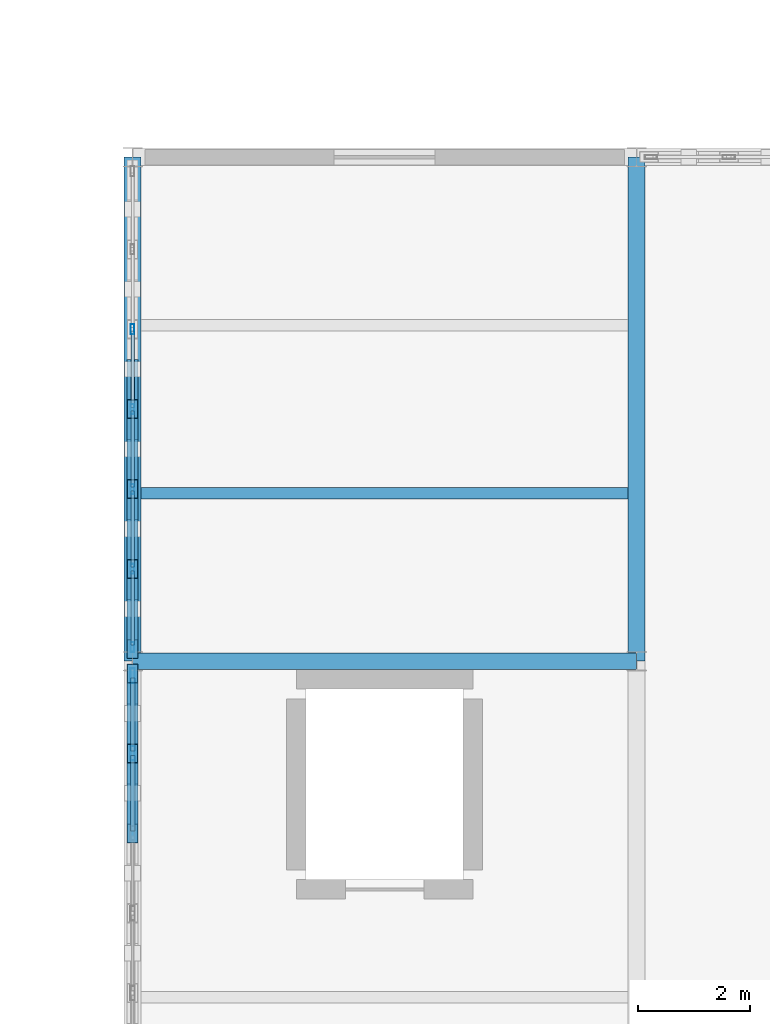
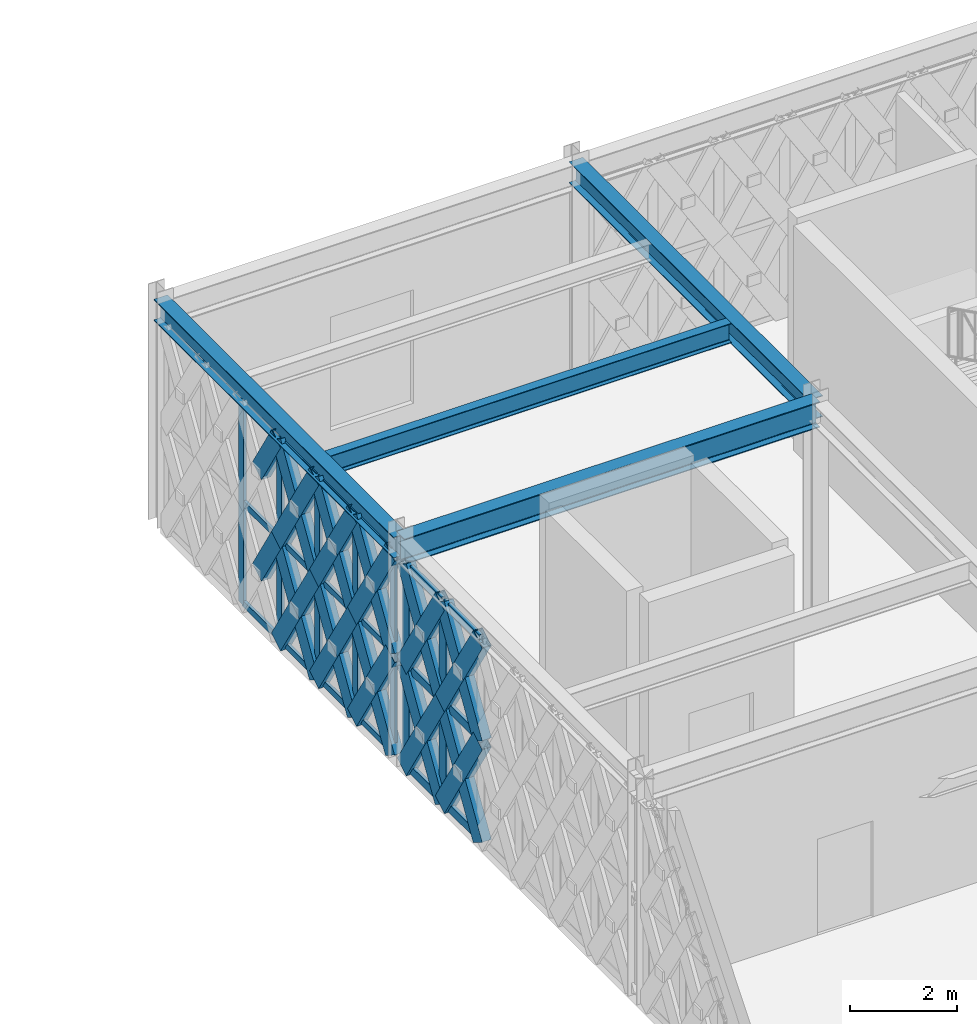
# One storey, part 86 of 166: 56 members, 4 beams, 2 elements without a shape of their own.
"""IFC4 building model written with IfcOpenShell, lengths in metres."""

from ifc_helpers import new_model, si_unit, direction, frame, origin, origin_2d, place, context, subcontext, project, spatial, hollow_rectangle, i_section, extrude, material, material_profile, profile_set, type_object, element, aggregate, save


model = new_model("IFC4")

# Units and contexts
model_context = context("Model", 3, precision=1e-05, world=origin(), true_north=direction((0.0, 1.0)))
body_context = subcontext(model_context, "Body", "Model", "MODEL_VIEW")
ifc_project = project(units=[si_unit("LENGTHUNIT", "METRE"), si_unit("AREAUNIT", "SQUARE_METRE"), si_unit("VOLUMEUNIT", "CUBIC_METRE"), si_unit("PLANEANGLEUNIT", "RADIAN"), si_unit("MASSUNIT", "GRAM", prefix="KILO")], contexts=[model_context])

# Site, building, storey
site_placement = place(None, origin())
site = spatial("IfcSite", under=ifc_project, at=site_placement, CompositionType="ELEMENT")
building_placement = place(site_placement, origin())
building = spatial("IfcBuilding", under=site, at=building_placement, Name="Haizhuo Lancet Aquarium", CompositionType="ELEMENT")
storey_placement = place(building_placement, frame((0.0, 0.0, 5.39990234375)))
storey = spatial("IfcBuildingStorey", under=building, at=storey_placement, Name="L01", CompositionType="ELEMENT", Elevation=5.39990234375)

# Beams
ifc_material_1 = material(Name="Steel S355", Category="steel")
ifc_material_profile_1 = material_profile(ifc_material_1, i_section(OverallWidth=0.300048828125, OverallDepth=0.488037109375, WebThickness=0.010986328125, FlangeThickness=0.01806640625, FilletRadius=0.02392578125, at=origin_2d()), Name="HM 488x300x11x18")
ifc_profile_set_1 = profile_set([ifc_material_profile_1], Name="Steel S355")
beam_type_1 = type_object("IfcBeamType", Name="BM-ST-HM488", PredefinedType="BEAM", material=ifc_profile_set_1)
for number, where, z_axis, x_axis, name in (
    (1, (36.0, 27.0, 4.89599609375), (0.0, 1.0, 0.0), (-1.0, 0.0, 0.0), "L01 V7 primary girder BM-L01-V7-005"),
    (2, (45.0, 27.0, 4.89599609375), (0.0, 1.0, 0.0), (-1.0, 0.0, 0.0), "L01 V7 primary girder BM-L01-V7-012"),
):
    element("IfcBeam", number, at=place(storey_placement, frame(where, z_axis=z_axis, x_axis=x_axis)), inside=storey, type_object=beam_type_1, Name=name, PredefinedType="BEAM", context=body_context, shape_type="SweptSolid", body=[
        extrude(i_section(OverallWidth=0.300048828125, OverallDepth=0.488037109375, WebThickness=0.010986328125, FlangeThickness=0.01806640625, FilletRadius=0.02392578125, at=origin_2d()), origin(), (0.0, 0.0, 1.0), 9.0),
    ])
ifc_material_profile_2 = material_profile(ifc_material_1, i_section(OverallWidth=0.300048828125, OverallDepth=0.587890625, WebThickness=0.011962890625, FlangeThickness=0.02001953125, FilletRadius=0.02587890625, at=origin_2d()), Name="HM 588x300x12x20")
ifc_profile_set_2 = profile_set([ifc_material_profile_2], Name="Steel S355")
beam_type_2 = type_object("IfcBeamType", Name="BM-ST-HM588", PredefinedType="BEAM", material=ifc_profile_set_2)
beam_1_placement = place(storey_placement, frame((36.0, 27.0, 4.84619140625), z_axis=(1.0, 0.0, 0.0), x_axis=(0.0, 1.0, 0.0)))
element("IfcBeam", 3, at=beam_1_placement, inside=storey, type_object=beam_type_2, Name="L01 V7 primary girder BM-L01-V7-006", PredefinedType="BEAM", context=body_context, shape_type="SweptSolid", body=[
    extrude(i_section(OverallWidth=0.300048828125, OverallDepth=0.587890625, WebThickness=0.011962890625, FlangeThickness=0.02001953125, FilletRadius=0.02587890625, at=origin_2d()), origin(), (0.0, 0.0, 1.0), 9.0),
])

# Curtain wall, members
ifc_material_2 = material(Name="Aluminium 6063-T6", Category="aluminium")
curtain_wall_type = type_object("IfcCurtainWallType", Name="CWD-8560x4650", PredefinedType="NOTDEFINED", material=ifc_material_2)
curtain_wall_1_placement = place(storey_placement, origin())
curtain_wall_1 = element("IfcCurtainWall", 4, at=curtain_wall_1_placement, inside=storey, type_object=curtain_wall_type, Name="L01 curtain wall CW-V7-L01-295", PredefinedType="NOTDEFINED")
ifc_material_profile_3 = material_profile(ifc_material_2, hollow_rectangle(XDim=0.06494140625, YDim=0.179931640625, WallThickness=0.00390625, at=origin_2d()), Name="ALU-M 65x180x4")
ifc_profile_set_3 = profile_set([ifc_material_profile_3], Name="Aluminium 6063-T6")
member_type_1 = type_object("IfcMemberType", Name="CW-MUL-1", PredefinedType="MULLION", material=ifc_profile_set_3)
member_1_placement = place(storey_placement, frame((36.0, 27.251953125, 0.0), z_axis=(0.0, 0.0, 1.0), x_axis=(-1.0, 0.0, 0.0)))
member_1 = element("IfcMember", 5, at=member_1_placement, type_object=member_type_1, Name="CWD-85x46 mullion 1", PredefinedType="MULLION", context=body_context, shape_type="SweptSolid", body=[
    extrude(hollow_rectangle(XDim=0.06494140625, YDim=0.179931640625, WallThickness=0.00390625, at=origin_2d()), origin(), (0.0, 0.0, 1.0), 4.652099609375),
])
member_2_placement = place(storey_placement, frame((36.0, 28.64697265625, 0.0), z_axis=(0.0, 0.0, 1.0), x_axis=(-1.0, 0.0, 0.0)))
member_2 = element("IfcMember", 6, at=member_2_placement, type_object=member_type_1, Name="CWD-85x46 mullion 2", PredefinedType="MULLION", context=body_context, shape_type="SweptSolid", body=[
    extrude(hollow_rectangle(XDim=0.06494140625, YDim=0.179931640625, WallThickness=0.00390625, at=origin_2d()), origin(), (0.0, 0.0, 1.0), 4.652099609375),
])
member_3_placement = place(storey_placement, frame((36.0, 30.072998046875, 0.0), z_axis=(0.0, 0.0, 1.0), x_axis=(-1.0, 0.0, 0.0)))
member_3 = element("IfcMember", 7, at=member_3_placement, type_object=member_type_1, Name="CWD-85x46 mullion 3", PredefinedType="MULLION", context=body_context, shape_type="SweptSolid", body=[
    extrude(hollow_rectangle(XDim=0.06494140625, YDim=0.179931640625, WallThickness=0.00390625, at=origin_2d()), origin(), (0.0, 0.0, 1.0), 4.652099609375),
])
member_4_placement = place(storey_placement, frame((36.0, 31.5, 0.0), z_axis=(0.0, 0.0, 1.0), x_axis=(-1.0, 0.0, 0.0)))
member_4 = element("IfcMember", 8, at=member_4_placement, type_object=member_type_1, Name="CWD-85x46 mullion 4", PredefinedType="MULLION", context=body_context, shape_type="SweptSolid", body=[
    extrude(hollow_rectangle(XDim=0.06494140625, YDim=0.179931640625, WallThickness=0.00390625, at=origin_2d()), origin(), (0.0, 0.0, 1.0), 4.652099609375),
])
member_5_placement = place(storey_placement, frame((36.0, 32.927001953125, 0.0), z_axis=(0.0, 0.0, 1.0), x_axis=(-1.0, 0.0, 0.0)))
member_5 = element("IfcMember", 9, at=member_5_placement, type_object=member_type_1, Name="CWD-85x46 mullion 5", PredefinedType="MULLION", context=body_context, shape_type="SweptSolid", body=[
    extrude(hollow_rectangle(XDim=0.06494140625, YDim=0.179931640625, WallThickness=0.00390625, at=origin_2d()), origin(), (0.0, 0.0, 1.0), 4.652099609375),
])

curtain_wall_2_placement = place(storey_placement, origin())
curtain_wall_2 = element("IfcCurtainWall", 10, at=curtain_wall_2_placement, inside=storey, type_object=curtain_wall_type, Name="L01 curtain wall CW-V7-L01-294", PredefinedType="NOTDEFINED")
ifc_material_profile_4 = material_profile(ifc_material_2, hollow_rectangle(XDim=0.080078125, YDim=0.260009765625, WallThickness=0.0048828125, at=origin_2d()), Name="ALU-M 80x260x5")
ifc_profile_set_4 = profile_set([ifc_material_profile_4], Name="Aluminium 6063-T6")
member_type_2 = type_object("IfcMemberType", Name="CW-MUL-3", PredefinedType="MULLION", material=ifc_profile_set_4)
member_6_placement = place(storey_placement, frame((36.0, 25.35302734375, 0.0), z_axis=(0.0, 0.0, 1.0), x_axis=(-1.0, 0.0, 0.0)))
member_6 = element("IfcMember", 11, at=member_6_placement, type_object=member_type_2, Name="CWD-85x46 mullion 6", PredefinedType="MULLION", context=body_context, shape_type="SweptSolid", body=[
    extrude(hollow_rectangle(XDim=0.080078125, YDim=0.260009765625, WallThickness=0.0048828125, at=origin_2d()), origin(), (0.0, 0.0, 1.0), 4.652099609375),
])
member_7_placement = place(storey_placement, frame((36.0, 26.739990234375, 0.0), z_axis=(0.0, 0.0, 1.0), x_axis=(-1.0, 0.0, 0.0)))
member_7 = element("IfcMember", 12, at=member_7_placement, type_object=member_type_2, Name="CWD-85x46 mullion 7", PredefinedType="MULLION", context=body_context, shape_type="SweptSolid", body=[
    extrude(hollow_rectangle(XDim=0.080078125, YDim=0.260009765625, WallThickness=0.0048828125, at=origin_2d()), origin(), (0.0, 0.0, 1.0), 4.652099609375),
])

# Member
ifc_material_profile_5 = material_profile(ifc_material_2, hollow_rectangle(XDim=0.06494140625, YDim=0.139892578125, WallThickness=0.00390625, at=origin_2d()), Name="ALU-T 65x140x4")
ifc_profile_set_5 = profile_set([ifc_material_profile_5], Name="Aluminium 6063-T6")
member_type_3 = type_object("IfcMemberType", Name="CW-TRN-1", PredefinedType="NOTDEFINED", material=ifc_profile_set_5)
member_8_placement = place(storey_placement, frame((36.0, 27.284912109375, 0.033203125), z_axis=(0.0, 1.0, 0.0), x_axis=(-1.0, 0.0, 0.0)))
member_8 = element("IfcMember", 13, at=member_8_placement, type_object=member_type_3, Name="CWD-85x46 transom 1.1", ObjectType="TRANSOM", PredefinedType="USERDEFINED", context=body_context, shape_type="SweptSolid", body=[
    extrude(hollow_rectangle(XDim=0.06494140625, YDim=0.139892578125, WallThickness=0.00390625, at=origin_2d()), origin(), (0.0, 0.0, 1.0), 1.3291015625),
])

member_9_placement = place(storey_placement, frame((36.0, 27.284912109375, 2.326171875), z_axis=(0.0, 1.0, 0.0), x_axis=(-1.0, 0.0, 0.0)))
member_9 = element("IfcMember", 14, at=member_9_placement, type_object=member_type_3, Name="CWD-85x46 transom 1.2", ObjectType="TRANSOM", PredefinedType="USERDEFINED", context=body_context, shape_type="SweptSolid", body=[
    extrude(hollow_rectangle(XDim=0.06494140625, YDim=0.139892578125, WallThickness=0.00390625, at=origin_2d()), origin(), (0.0, 0.0, 1.0), 1.3291015625),
])

member_10_placement = place(storey_placement, frame((36.0, 27.284912109375, 4.619140625), z_axis=(0.0, 1.0, 0.0), x_axis=(-1.0, 0.0, 0.0)))
member_10 = element("IfcMember", 15, at=member_10_placement, type_object=member_type_3, Name="CWD-85x46 transom 1.3", ObjectType="TRANSOM", PredefinedType="USERDEFINED", context=body_context, shape_type="SweptSolid", body=[
    extrude(hollow_rectangle(XDim=0.06494140625, YDim=0.139892578125, WallThickness=0.00390625, at=origin_2d()), origin(), (0.0, 0.0, 1.0), 1.3291015625),
])

member_11_placement = place(storey_placement, frame((36.0, 28.678955078125, 0.033203125), z_axis=(0.0, 1.0, 0.0), x_axis=(-1.0, 0.0, 0.0)))
member_11 = element("IfcMember", 16, at=member_11_placement, type_object=member_type_3, Name="CWD-85x46 transom 2.1", ObjectType="TRANSOM", PredefinedType="USERDEFINED", context=body_context, shape_type="SweptSolid", body=[
    extrude(hollow_rectangle(XDim=0.06494140625, YDim=0.139892578125, WallThickness=0.00390625, at=origin_2d()), origin(), (0.0, 0.0, 1.0), 1.362060546875),
])

member_12_placement = place(storey_placement, frame((36.0, 28.678955078125, 2.326171875), z_axis=(0.0, 1.0, 0.0), x_axis=(-1.0, 0.0, 0.0)))
member_12 = element("IfcMember", 17, at=member_12_placement, type_object=member_type_3, Name="CWD-85x46 transom 2.2", ObjectType="TRANSOM", PredefinedType="USERDEFINED", context=body_context, shape_type="SweptSolid", body=[
    extrude(hollow_rectangle(XDim=0.06494140625, YDim=0.139892578125, WallThickness=0.00390625, at=origin_2d()), origin(), (0.0, 0.0, 1.0), 1.362060546875),
])

member_13_placement = place(storey_placement, frame((36.0, 28.678955078125, 4.619140625), z_axis=(0.0, 1.0, 0.0), x_axis=(-1.0, 0.0, 0.0)))
member_13 = element("IfcMember", 18, at=member_13_placement, type_object=member_type_3, Name="CWD-85x46 transom 2.3", ObjectType="TRANSOM", PredefinedType="USERDEFINED", context=body_context, shape_type="SweptSolid", body=[
    extrude(hollow_rectangle(XDim=0.06494140625, YDim=0.139892578125, WallThickness=0.00390625, at=origin_2d()), origin(), (0.0, 0.0, 1.0), 1.362060546875),
])

member_14_placement = place(storey_placement, frame((36.0, 30.10595703125, 0.033203125), z_axis=(0.0, 1.0, 0.0), x_axis=(-1.0, 0.0, 0.0)))
member_14 = element("IfcMember", 19, at=member_14_placement, type_object=member_type_3, Name="CWD-85x46 transom 3.1", ObjectType="TRANSOM", PredefinedType="USERDEFINED", context=body_context, shape_type="SweptSolid", body=[
    extrude(hollow_rectangle(XDim=0.06494140625, YDim=0.139892578125, WallThickness=0.00390625, at=origin_2d()), origin(), (0.0, 0.0, 1.0), 1.362060546875),
])

member_15_placement = place(storey_placement, frame((36.0, 30.10595703125, 2.326171875), z_axis=(0.0, 1.0, 0.0), x_axis=(-1.0, 0.0, 0.0)))
member_15 = element("IfcMember", 20, at=member_15_placement, type_object=member_type_3, Name="CWD-85x46 transom 3.2", ObjectType="TRANSOM", PredefinedType="USERDEFINED", context=body_context, shape_type="SweptSolid", body=[
    extrude(hollow_rectangle(XDim=0.06494140625, YDim=0.139892578125, WallThickness=0.00390625, at=origin_2d()), origin(), (0.0, 0.0, 1.0), 1.362060546875),
])

member_16_placement = place(storey_placement, frame((36.0, 30.10595703125, 4.619140625), z_axis=(0.0, 1.0, 0.0), x_axis=(-1.0, 0.0, 0.0)))
member_16 = element("IfcMember", 21, at=member_16_placement, type_object=member_type_3, Name="CWD-85x46 transom 3.3", ObjectType="TRANSOM", PredefinedType="USERDEFINED", context=body_context, shape_type="SweptSolid", body=[
    extrude(hollow_rectangle(XDim=0.06494140625, YDim=0.139892578125, WallThickness=0.00390625, at=origin_2d()), origin(), (0.0, 0.0, 1.0), 1.362060546875),
])

member_17_placement = place(storey_placement, frame((36.0, 31.531982421875, 0.033203125), z_axis=(0.0, 1.0, 0.0), x_axis=(-1.0, 0.0, 0.0)))
member_17 = element("IfcMember", 22, at=member_17_placement, type_object=member_type_3, Name="CWD-85x46 transom 4.1", ObjectType="TRANSOM", PredefinedType="USERDEFINED", context=body_context, shape_type="SweptSolid", body=[
    extrude(hollow_rectangle(XDim=0.06494140625, YDim=0.139892578125, WallThickness=0.00390625, at=origin_2d()), origin(), (0.0, 0.0, 1.0), 1.362060546875),
])

member_18_placement = place(storey_placement, frame((36.0, 31.531982421875, 2.326171875), z_axis=(0.0, 1.0, 0.0), x_axis=(-1.0, 0.0, 0.0)))
member_18 = element("IfcMember", 23, at=member_18_placement, type_object=member_type_3, Name="CWD-85x46 transom 4.2", ObjectType="TRANSOM", PredefinedType="USERDEFINED", context=body_context, shape_type="SweptSolid", body=[
    extrude(hollow_rectangle(XDim=0.06494140625, YDim=0.139892578125, WallThickness=0.00390625, at=origin_2d()), origin(), (0.0, 0.0, 1.0), 1.362060546875),
])

aggregate(curtain_wall_1, [member_1, member_2, member_3, member_4, member_5, member_8, member_9, member_10, member_11, member_12, member_13, member_14, member_15, member_16, member_17, member_18])

ifc_material_profile_6 = material_profile(ifc_material_2, hollow_rectangle(XDim=0.080078125, YDim=0.18994140625, WallThickness=0.0048828125, at=origin_2d()), Name="ALU-T 80x190x5")
ifc_profile_set_6 = profile_set([ifc_material_profile_6], Name="Aluminium 6063-T6")
member_type_4 = type_object("IfcMemberType", Name="CW-TRN-3", PredefinedType="NOTDEFINED", material=ifc_profile_set_6)
member_19_placement = place(storey_placement, frame((36.0, 23.967041015625, 0.0400390625), z_axis=(0.0, 1.0, 0.0), x_axis=(-1.0, 0.0, 0.0)))
member_19 = element("IfcMember", 24, at=member_19_placement, type_object=member_type_4, Name="CWD-85x46 transom 5.1", ObjectType="TRANSOM", PredefinedType="USERDEFINED", context=body_context, shape_type="SweptSolid", body=[
    extrude(hollow_rectangle(XDim=0.080078125, YDim=0.18994140625, WallThickness=0.0048828125, at=origin_2d()), origin(), (0.0, 0.0, 1.0), 1.345947265625),
])

member_20_placement = place(storey_placement, frame((36.0, 23.967041015625, 2.326171875), z_axis=(0.0, 1.0, 0.0), x_axis=(-1.0, 0.0, 0.0)))
member_20 = element("IfcMember", 25, at=member_20_placement, type_object=member_type_4, Name="CWD-85x46 transom 5.2", ObjectType="TRANSOM", PredefinedType="USERDEFINED", context=body_context, shape_type="SweptSolid", body=[
    extrude(hollow_rectangle(XDim=0.080078125, YDim=0.18994140625, WallThickness=0.0048828125, at=origin_2d()), origin(), (0.0, 0.0, 1.0), 1.345947265625),
])

member_21_placement = place(storey_placement, frame((36.0, 23.967041015625, 4.612060546875), z_axis=(0.0, 1.0, 0.0), x_axis=(-1.0, 0.0, 0.0)))
member_21 = element("IfcMember", 26, at=member_21_placement, type_object=member_type_4, Name="CWD-85x46 transom 5.3", ObjectType="TRANSOM", PredefinedType="USERDEFINED", context=body_context, shape_type="SweptSolid", body=[
    extrude(hollow_rectangle(XDim=0.080078125, YDim=0.18994140625, WallThickness=0.0048828125, at=origin_2d()), origin(), (0.0, 0.0, 1.0), 1.345947265625),
])

member_22_placement = place(storey_placement, frame((36.0, 25.39306640625, 0.0400390625), z_axis=(0.0, 1.0, 0.0), x_axis=(-1.0, 0.0, 0.0)))
member_22 = element("IfcMember", 27, at=member_22_placement, type_object=member_type_4, Name="CWD-85x46 transom 6.1", ObjectType="TRANSOM", PredefinedType="USERDEFINED", context=body_context, shape_type="SweptSolid", body=[
    extrude(hollow_rectangle(XDim=0.080078125, YDim=0.18994140625, WallThickness=0.0048828125, at=origin_2d()), origin(), (0.0, 0.0, 1.0), 1.306884765625),
])

member_23_placement = place(storey_placement, frame((36.0, 25.39306640625, 2.326171875), z_axis=(0.0, 1.0, 0.0), x_axis=(-1.0, 0.0, 0.0)))
member_23 = element("IfcMember", 28, at=member_23_placement, type_object=member_type_4, Name="CWD-85x46 transom 6.2", ObjectType="TRANSOM", PredefinedType="USERDEFINED", context=body_context, shape_type="SweptSolid", body=[
    extrude(hollow_rectangle(XDim=0.080078125, YDim=0.18994140625, WallThickness=0.0048828125, at=origin_2d()), origin(), (0.0, 0.0, 1.0), 1.306884765625),
])

member_24_placement = place(storey_placement, frame((36.0, 25.39306640625, 4.612060546875), z_axis=(0.0, 1.0, 0.0), x_axis=(-1.0, 0.0, 0.0)))
member_24 = element("IfcMember", 29, at=member_24_placement, type_object=member_type_4, Name="CWD-85x46 transom 6.3", ObjectType="TRANSOM", PredefinedType="USERDEFINED", context=body_context, shape_type="SweptSolid", body=[
    extrude(hollow_rectangle(XDim=0.080078125, YDim=0.18994140625, WallThickness=0.0048828125, at=origin_2d()), origin(), (0.0, 0.0, 1.0), 1.306884765625),
])

aggregate(curtain_wall_2, [member_6, member_7, member_19, member_20, member_21, member_22, member_23, member_24])

# Beam
ifc_material_profile_7 = material_profile(ifc_material_1, i_section(OverallWidth=0.199951171875, OverallDepth=0.449951171875, WebThickness=0.009033203125, FlangeThickness=0.013916015625, FilletRadius=0.01806640625, at=origin_2d()), Name="HN 450x200x9x14")
ifc_profile_set_7 = profile_set([ifc_material_profile_7], Name="Steel S355")
beam_type_3 = type_object("IfcBeamType", Name="JST-ST-HN450", PredefinedType="JOIST", material=ifc_profile_set_7)
beam_2_placement = place(storey_placement, frame((36.14990234375, 30.0, 4.9150390625), z_axis=(1.0, 0.0, 0.0), x_axis=(0.0, 1.0, 0.0)))
element("IfcBeam", 30, at=beam_2_placement, inside=storey, type_object=beam_type_3, Name="L01 V7 secondary floor joist 4", PredefinedType="JOIST", context=body_context, shape_type="SweptSolid", body=[
    extrude(i_section(OverallWidth=0.199951171875, OverallDepth=0.449951171875, WebThickness=0.009033203125, FlangeThickness=0.013916015625, FilletRadius=0.01806640625, at=origin_2d()), origin(), (0.0, 0.0, 1.0), 8.7001953125),
])

# Members
ifc_material_profile_8 = material_profile(ifc_material_1, hollow_rectangle(XDim=0.199951171875, YDim=0.39990234375, WallThickness=0.011962890625, at=origin_2d()), Name="RHS 200x400x12")
ifc_profile_set_8 = profile_set([ifc_material_profile_8], Name="Steel S355")
member_type_5 = type_object("IfcMemberType", Name="MEM-LB-RHS200x400", PredefinedType="BRACE", material=ifc_profile_set_8)
member_25_placement = place(storey_placement, frame((36.0, 23.927001953125, 0.0), z_axis=(0.0, 0.522643885704, 0.852551094502), x_axis=(-1.0, 0.0, 0.0)))
element("IfcMember", 31, at=member_25_placement, inside=storey, type_object=member_type_5, Name="Gothic lancet continuous diagonal brace CW-V7-L01-294 9A", PredefinedType="BRACE", context=body_context, shape_type="SweptSolid", body=[
    extrude(hollow_rectangle(XDim=0.199951171875, YDim=0.39990234375, WallThickness=0.011962890625, at=origin_2d()), origin(), (0.0, 0.0, 1.0), 2.728515625),
])
for number, where, z_axis, x_axis, name in (
    (32, (36.0, 25.35302734375, 0.0), (0.0, -0.522708917992, 0.852511224003), (1.0, 0.0, 0.0), "Gothic lancet split diagonal brace CW-V7-L01-294 9B1"),
    (33, (36.0, 24.639892578125, 1.1630859375), (0.0, -0.522578844291, 0.852590963768), (1.0, 0.0, 0.0), "Gothic lancet split diagonal brace CW-V7-L01-294 9B2"),
):
    element("IfcMember", number, at=place(storey_placement, frame(where, z_axis=z_axis, x_axis=x_axis)), inside=storey, type_object=member_type_5, Name=name, PredefinedType="BRACE", context=body_context, shape_type="SweptSolid", body=[
        extrude(hollow_rectangle(XDim=0.199951171875, YDim=0.39990234375, WallThickness=0.011962890625, at=origin_2d()), origin(), (0.0, 0.0, 1.0), 1.3642578125),
    ])
member_26_placement = place(storey_placement, frame((36.0, 23.927001953125, 2.326171875), z_axis=(0.0, 0.522683758057, 0.852526650061), x_axis=(-1.0, 0.0, 0.0)))
element("IfcMember", 34, at=member_26_placement, inside=storey, type_object=member_type_5, Name="Gothic lancet continuous diagonal brace CW-V7-L01-294 10A", PredefinedType="BRACE", context=body_context, shape_type="SweptSolid", body=[
    extrude(hollow_rectangle(XDim=0.199951171875, YDim=0.39990234375, WallThickness=0.011962890625, at=origin_2d()), origin(), (0.0, 0.0, 1.0), 2.728271484375),
])
member_27_placement = place(storey_placement, frame((36.0, 25.35302734375, 2.326171875), z_axis=(0.0, -0.5227886701, 0.852462319646), x_axis=(1.0, 0.0, 0.0)))
element("IfcMember", 35, at=member_27_placement, inside=storey, type_object=member_type_5, Name="Gothic lancet split diagonal brace CW-V7-L01-294 10B1", PredefinedType="BRACE", context=body_context, shape_type="SweptSolid", body=[
    extrude(hollow_rectangle(XDim=0.199951171875, YDim=0.39990234375, WallThickness=0.011962890625, at=origin_2d()), origin(), (0.0, 0.0, 1.0), 1.364013671875),
])
member_28_placement = place(storey_placement, frame((36.0, 24.639892578125, 3.489013671875), z_axis=(0.0, -0.522578844291, 0.852590963768), x_axis=(1.0, 0.0, 0.0)))
element("IfcMember", 36, at=member_28_placement, inside=storey, type_object=member_type_5, Name="Gothic lancet split diagonal brace CW-V7-L01-294 10B2", PredefinedType="BRACE", context=body_context, shape_type="SweptSolid", body=[
    extrude(hollow_rectangle(XDim=0.199951171875, YDim=0.39990234375, WallThickness=0.011962890625, at=origin_2d()), origin(), (0.0, 0.0, 1.0), 1.3642578125),
])
member_29_placement = place(storey_placement, frame((36.0, 25.35302734375, 0.0), z_axis=(0.0, 0.522903960116, 0.85239160513), x_axis=(-1.0, 0.0, 0.0)))
element("IfcMember", 37, at=member_29_placement, inside=storey, type_object=member_type_5, Name="Gothic lancet continuous diagonal brace CW-V7-L01-294 11A", PredefinedType="BRACE", context=body_context, shape_type="SweptSolid", body=[
    extrude(hollow_rectangle(XDim=0.199951171875, YDim=0.39990234375, WallThickness=0.011962890625, at=origin_2d()), origin(), (0.0, 0.0, 1.0), 2.72900390625),
])
member_30_placement = place(storey_placement, frame((36.0, 26.780029296875, 0.0), z_axis=(0.0, -0.522708917992, 0.852511224003), x_axis=(1.0, 0.0, 0.0)))
element("IfcMember", 38, at=member_30_placement, inside=storey, type_object=member_type_5, Name="Gothic lancet split diagonal brace CW-V7-L01-294 11B1", PredefinedType="BRACE", context=body_context, shape_type="SweptSolid", body=[
    extrude(hollow_rectangle(XDim=0.199951171875, YDim=0.39990234375, WallThickness=0.011962890625, at=origin_2d()), origin(), (0.0, 0.0, 1.0), 1.3642578125),
])
member_31_placement = place(storey_placement, frame((36.0, 26.06689453125, 1.1630859375), z_axis=(0.0, -0.52309892014, 0.852271975222), x_axis=(1.0, 0.0, 0.0)))
element("IfcMember", 39, at=member_31_placement, inside=storey, type_object=member_type_5, Name="Gothic lancet split diagonal brace CW-V7-L01-294 11B2", PredefinedType="BRACE", context=body_context, shape_type="SweptSolid", body=[
    extrude(hollow_rectangle(XDim=0.199951171875, YDim=0.39990234375, WallThickness=0.011962890625, at=origin_2d()), origin(), (0.0, 0.0, 1.0), 1.36474609375),
])
member_32_placement = place(storey_placement, frame((36.0, 25.35302734375, 2.326171875), z_axis=(0.0, 0.522943837384, 0.852367140933), x_axis=(-1.0, 0.0, 0.0)))
element("IfcMember", 40, at=member_32_placement, inside=storey, type_object=member_type_5, Name="Gothic lancet continuous diagonal brace CW-V7-L01-294 12A", PredefinedType="BRACE", context=body_context, shape_type="SweptSolid", body=[
    extrude(hollow_rectangle(XDim=0.199951171875, YDim=0.39990234375, WallThickness=0.011962890625, at=origin_2d()), origin(), (0.0, 0.0, 1.0), 2.728759765625),
])
member_33_placement = place(storey_placement, frame((36.0, 26.780029296875, 2.326171875), z_axis=(0.0, -0.5227886701, 0.852462319646), x_axis=(1.0, 0.0, 0.0)))
element("IfcMember", 41, at=member_33_placement, inside=storey, type_object=member_type_5, Name="Gothic lancet split diagonal brace CW-V7-L01-294 12B1", PredefinedType="BRACE", context=body_context, shape_type="SweptSolid", body=[
    extrude(hollow_rectangle(XDim=0.199951171875, YDim=0.39990234375, WallThickness=0.011962890625, at=origin_2d()), origin(), (0.0, 0.0, 1.0), 1.364013671875),
])
member_34_placement = place(storey_placement, frame((36.0, 26.06689453125, 3.489013671875), z_axis=(0.0, -0.52309892014, 0.852271975222), x_axis=(1.0, 0.0, 0.0)))
element("IfcMember", 42, at=member_34_placement, inside=storey, type_object=member_type_5, Name="Gothic lancet split diagonal brace CW-V7-L01-294 12B2", PredefinedType="BRACE", context=body_context, shape_type="SweptSolid", body=[
    extrude(hollow_rectangle(XDim=0.199951171875, YDim=0.39990234375, WallThickness=0.011962890625, at=origin_2d()), origin(), (0.0, 0.0, 1.0), 1.36474609375),
])
member_35_placement = place(storey_placement, frame((36.0, 27.219970703125, 0.0), z_axis=(0.0, 0.522903960116, 0.85239160513), x_axis=(-1.0, 0.0, 0.0)))
element("IfcMember", 43, at=member_35_placement, inside=storey, type_object=member_type_5, Name="Gothic lancet continuous diagonal brace CW-V7-L01-295 1A", PredefinedType="BRACE", context=body_context, shape_type="SweptSolid", body=[
    extrude(hollow_rectangle(XDim=0.199951171875, YDim=0.39990234375, WallThickness=0.011962890625, at=origin_2d()), origin(), (0.0, 0.0, 1.0), 2.72900390625),
])
member_36_placement = place(storey_placement, frame((36.0, 28.64697265625, 0.0), z_axis=(0.0, -0.52309892014, 0.852271975222), x_axis=(1.0, 0.0, 0.0)))
element("IfcMember", 44, at=member_36_placement, inside=storey, type_object=member_type_5, Name="Gothic lancet split diagonal brace CW-V7-L01-295 1B1", PredefinedType="BRACE", context=body_context, shape_type="SweptSolid", body=[
    extrude(hollow_rectangle(XDim=0.199951171875, YDim=0.39990234375, WallThickness=0.011962890625, at=origin_2d()), origin(), (0.0, 0.0, 1.0), 1.36474609375),
])
member_37_placement = place(storey_placement, frame((36.0, 27.93310546875, 1.1630859375), z_axis=(0.0, -0.522708917992, 0.852511224003), x_axis=(1.0, 0.0, 0.0)))
element("IfcMember", 45, at=member_37_placement, inside=storey, type_object=member_type_5, Name="Gothic lancet split diagonal brace CW-V7-L01-295 1B2", PredefinedType="BRACE", context=body_context, shape_type="SweptSolid", body=[
    extrude(hollow_rectangle(XDim=0.199951171875, YDim=0.39990234375, WallThickness=0.011962890625, at=origin_2d()), origin(), (0.0, 0.0, 1.0), 1.3642578125),
])
member_38_placement = place(storey_placement, frame((36.0, 27.219970703125, 2.326171875), z_axis=(0.0, 0.522943837384, 0.852367140933), x_axis=(-1.0, 0.0, 0.0)))
element("IfcMember", 46, at=member_38_placement, inside=storey, type_object=member_type_5, Name="Gothic lancet continuous diagonal brace CW-V7-L01-295 2A", PredefinedType="BRACE", context=body_context, shape_type="SweptSolid", body=[
    extrude(hollow_rectangle(XDim=0.199951171875, YDim=0.39990234375, WallThickness=0.011962890625, at=origin_2d()), origin(), (0.0, 0.0, 1.0), 2.728759765625),
])
member_39_placement = place(storey_placement, frame((36.0, 28.64697265625, 2.326171875), z_axis=(0.0, -0.523178686952, 0.852223011611), x_axis=(1.0, 0.0, 0.0)))
element("IfcMember", 47, at=member_39_placement, inside=storey, type_object=member_type_5, Name="Gothic lancet split diagonal brace CW-V7-L01-295 2B1", PredefinedType="BRACE", context=body_context, shape_type="SweptSolid", body=[
    extrude(hollow_rectangle(XDim=0.199951171875, YDim=0.39990234375, WallThickness=0.011962890625, at=origin_2d()), origin(), (0.0, 0.0, 1.0), 1.364501953125),
])
member_40_placement = place(storey_placement, frame((36.0, 27.93310546875, 3.489013671875), z_axis=(0.0, -0.522708917992, 0.852511224003), x_axis=(1.0, 0.0, 0.0)))
element("IfcMember", 48, at=member_40_placement, inside=storey, type_object=member_type_5, Name="Gothic lancet split diagonal brace CW-V7-L01-295 2B2", PredefinedType="BRACE", context=body_context, shape_type="SweptSolid", body=[
    extrude(hollow_rectangle(XDim=0.199951171875, YDim=0.39990234375, WallThickness=0.011962890625, at=origin_2d()), origin(), (0.0, 0.0, 1.0), 1.3642578125),
])
member_41_placement = place(storey_placement, frame((36.0, 28.64697265625, 0.0), z_axis=(0.0, 0.522643885704, 0.852551094502), x_axis=(-1.0, 0.0, 0.0)))
element("IfcMember", 49, at=member_41_placement, inside=storey, type_object=member_type_5, Name="Gothic lancet continuous diagonal brace CW-V7-L01-295 3A", PredefinedType="BRACE", context=body_context, shape_type="SweptSolid", body=[
    extrude(hollow_rectangle(XDim=0.199951171875, YDim=0.39990234375, WallThickness=0.011962890625, at=origin_2d()), origin(), (0.0, 0.0, 1.0), 2.728515625),
])
for number, where, z_axis, x_axis, name in (
    (50, (36.0, 30.072998046875, 0.0), (0.0, -0.522578844291, 0.852590963768), (1.0, 0.0, 0.0), "Gothic lancet split diagonal brace CW-V7-L01-295 3B1"),
    (51, (36.0, 29.360107421875, 1.1630859375), (0.0, -0.522708917992, 0.852511224003), (1.0, 0.0, 0.0), "Gothic lancet split diagonal brace CW-V7-L01-295 3B2"),
):
    element("IfcMember", number, at=place(storey_placement, frame(where, z_axis=z_axis, x_axis=x_axis)), inside=storey, type_object=member_type_5, Name=name, PredefinedType="BRACE", context=body_context, shape_type="SweptSolid", body=[
        extrude(hollow_rectangle(XDim=0.199951171875, YDim=0.39990234375, WallThickness=0.011962890625, at=origin_2d()), origin(), (0.0, 0.0, 1.0), 1.3642578125),
    ])
member_42_placement = place(storey_placement, frame((36.0, 28.64697265625, 2.326171875), z_axis=(0.0, 0.522683758057, 0.852526650061), x_axis=(-1.0, 0.0, 0.0)))
element("IfcMember", 52, at=member_42_placement, inside=storey, type_object=member_type_5, Name="Gothic lancet continuous diagonal brace CW-V7-L01-295 4A", PredefinedType="BRACE", context=body_context, shape_type="SweptSolid", body=[
    extrude(hollow_rectangle(XDim=0.199951171875, YDim=0.39990234375, WallThickness=0.011962890625, at=origin_2d()), origin(), (0.0, 0.0, 1.0), 2.728271484375),
])
member_43_placement = place(storey_placement, frame((36.0, 30.072998046875, 2.326171875), z_axis=(0.0, -0.522658591473, 0.852542079173), x_axis=(1.0, 0.0, 0.0)))
element("IfcMember", 53, at=member_43_placement, inside=storey, type_object=member_type_5, Name="Gothic lancet split diagonal brace CW-V7-L01-295 4B1", PredefinedType="BRACE", context=body_context, shape_type="SweptSolid", body=[
    extrude(hollow_rectangle(XDim=0.199951171875, YDim=0.39990234375, WallThickness=0.011962890625, at=origin_2d()), origin(), (0.0, 0.0, 1.0), 1.364013671875),
])
member_44_placement = place(storey_placement, frame((36.0, 29.360107421875, 3.489013671875), z_axis=(0.0, -0.522708917992, 0.852511224003), x_axis=(1.0, 0.0, 0.0)))
element("IfcMember", 54, at=member_44_placement, inside=storey, type_object=member_type_5, Name="Gothic lancet split diagonal brace CW-V7-L01-295 4B2", PredefinedType="BRACE", context=body_context, shape_type="SweptSolid", body=[
    extrude(hollow_rectangle(XDim=0.199951171875, YDim=0.39990234375, WallThickness=0.011962890625, at=origin_2d()), origin(), (0.0, 0.0, 1.0), 1.3642578125),
])
member_45_placement = place(storey_placement, frame((36.0, 30.072998046875, 0.0), z_axis=(0.0, 0.522903960116, 0.85239160513), x_axis=(-1.0, 0.0, 0.0)))
element("IfcMember", 55, at=member_45_placement, inside=storey, type_object=member_type_5, Name="Gothic lancet continuous diagonal brace CW-V7-L01-295 5A", PredefinedType="BRACE", context=body_context, shape_type="SweptSolid", body=[
    extrude(hollow_rectangle(XDim=0.199951171875, YDim=0.39990234375, WallThickness=0.011962890625, at=origin_2d()), origin(), (0.0, 0.0, 1.0), 2.72900390625),
])
member_46_placement = place(storey_placement, frame((36.0, 31.5, 0.0), z_axis=(0.0, -0.522578844291, 0.852590963768), x_axis=(1.0, 0.0, 0.0)))
element("IfcMember", 56, at=member_46_placement, inside=storey, type_object=member_type_5, Name="Gothic lancet split diagonal brace CW-V7-L01-295 5B1", PredefinedType="BRACE", context=body_context, shape_type="SweptSolid", body=[
    extrude(hollow_rectangle(XDim=0.199951171875, YDim=0.39990234375, WallThickness=0.011962890625, at=origin_2d()), origin(), (0.0, 0.0, 1.0), 1.3642578125),
])
member_47_placement = place(storey_placement, frame((36.0, 30.787109375, 1.1630859375), z_axis=(0.0, -0.523228847887, 0.85219221584), x_axis=(1.0, 0.0, 0.0)))
element("IfcMember", 57, at=member_47_placement, inside=storey, type_object=member_type_5, Name="Gothic lancet split diagonal brace CW-V7-L01-295 5B2", PredefinedType="BRACE", context=body_context, shape_type="SweptSolid", body=[
    extrude(hollow_rectangle(XDim=0.199951171875, YDim=0.39990234375, WallThickness=0.011962890625, at=origin_2d()), origin(), (0.0, 0.0, 1.0), 1.36474609375),
])
member_48_placement = place(storey_placement, frame((36.0, 30.072998046875, 2.326171875), z_axis=(0.0, 0.522943837384, 0.852367140933), x_axis=(-1.0, 0.0, 0.0)))
element("IfcMember", 58, at=member_48_placement, inside=storey, type_object=member_type_5, Name="Gothic lancet continuous diagonal brace CW-V7-L01-295 6A", PredefinedType="BRACE", context=body_context, shape_type="SweptSolid", body=[
    extrude(hollow_rectangle(XDim=0.199951171875, YDim=0.39990234375, WallThickness=0.011962890625, at=origin_2d()), origin(), (0.0, 0.0, 1.0), 2.728759765625),
])
member_49_placement = place(storey_placement, frame((36.0, 31.5, 2.326171875), z_axis=(0.0, -0.522658591473, 0.852542079173), x_axis=(1.0, 0.0, 0.0)))
element("IfcMember", 59, at=member_49_placement, inside=storey, type_object=member_type_5, Name="Gothic lancet split diagonal brace CW-V7-L01-295 6B1", PredefinedType="BRACE", context=body_context, shape_type="SweptSolid", body=[
    extrude(hollow_rectangle(XDim=0.199951171875, YDim=0.39990234375, WallThickness=0.011962890625, at=origin_2d()), origin(), (0.0, 0.0, 1.0), 1.364013671875),
])
member_50_placement = place(storey_placement, frame((36.0, 30.787109375, 3.489013671875), z_axis=(0.0, -0.523228847887, 0.85219221584), x_axis=(1.0, 0.0, 0.0)))
element("IfcMember", 60, at=member_50_placement, inside=storey, type_object=member_type_5, Name="Gothic lancet split diagonal brace CW-V7-L01-295 6B2", PredefinedType="BRACE", context=body_context, shape_type="SweptSolid", body=[
    extrude(hollow_rectangle(XDim=0.199951171875, YDim=0.39990234375, WallThickness=0.011962890625, at=origin_2d()), origin(), (0.0, 0.0, 1.0), 1.36474609375),
])
for number, where, z_axis, x_axis, name in (
    (61, (36.0, 32.212890625, 1.1630859375), (0.0, -0.522578844291, 0.852590963768), (1.0, 0.0, 0.0), "Gothic lancet split diagonal brace CW-V7-L01-295 7B2"),
    (62, (36.0, 32.212890625, 3.489013671875), (0.0, -0.522578844291, 0.852590963768), (1.0, 0.0, 0.0), "Gothic lancet split diagonal brace CW-V7-L01-295 8B2"),
):
    element("IfcMember", number, at=place(storey_placement, frame(where, z_axis=z_axis, x_axis=x_axis)), inside=storey, type_object=member_type_5, Name=name, PredefinedType="BRACE", context=body_context, shape_type="SweptSolid", body=[
        extrude(hollow_rectangle(XDim=0.199951171875, YDim=0.39990234375, WallThickness=0.011962890625, at=origin_2d()), origin(), (0.0, 0.0, 1.0), 1.3642578125),
    ])

save(model, "model.ifc")
